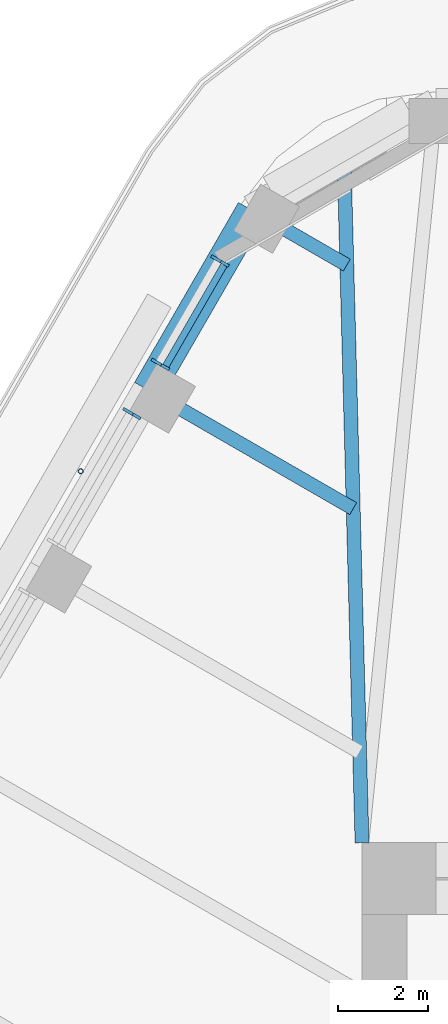
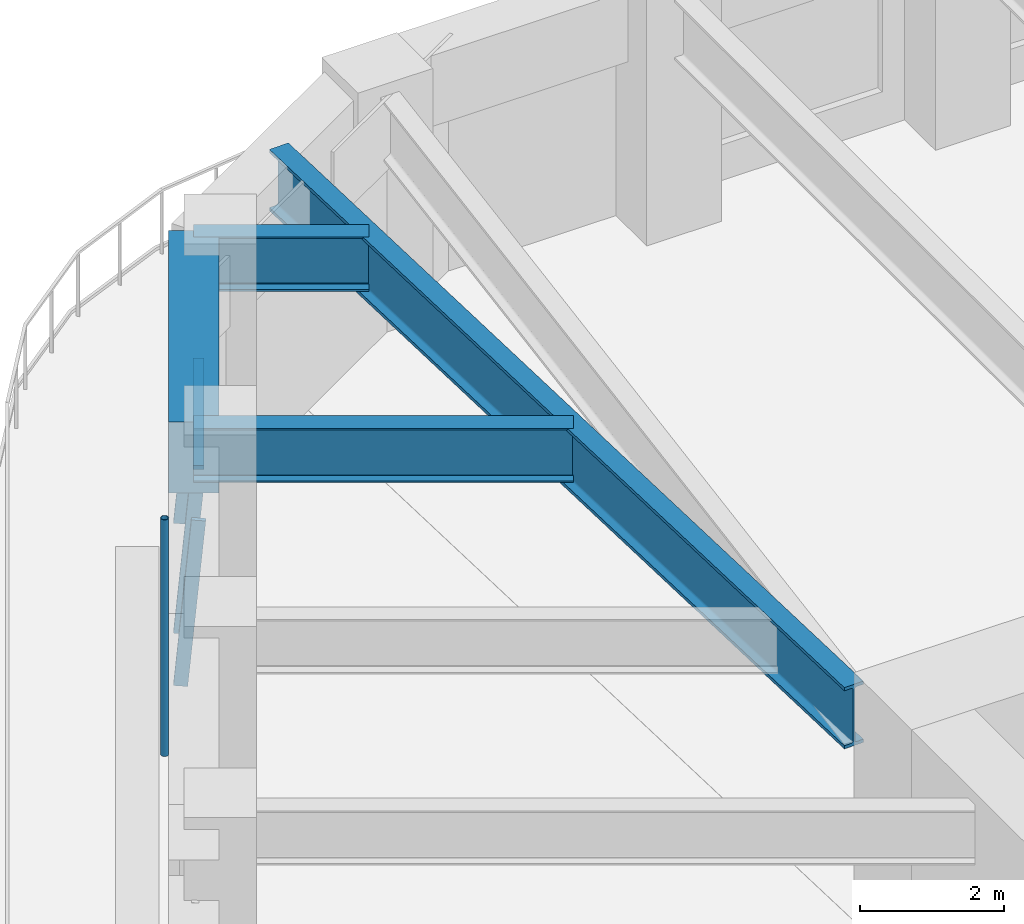
# One storey, part 8 of 20: 5 members, 4 beams, 2 elements without a shape of their own.
"""IFC4 building model written with IfcOpenShell, lengths in metres."""

import ifcopenshell
import ifcopenshell.guid

model = None  # the IFC model being written
_history = None  # IfcOwnerHistory: only IFC2X3 demands one
_inside = {}  # id of a spatial element -> (the spatial element, [elements in it])
_under = {}  # id of a project, library or spatial element -> (it, [spatial elements below it])
_declared = {}  # id of a project -> (the project, [libraries it declares])
_typed = {}  # id of a type object -> (the type object, [elements of that type])
_made_of = {}  # id of a material, layer set ... -> (it, [elements and type objects made of it])


def new_model(schema):
    """Start an empty IFC model of exactly this schema.

    Asked for "IFC4X3", IfcOpenShell would pick the latest addendum, in which some entities
    have other attributes; the version numbers below select the first issue.
    IFC2X3 requires an IfcOwnerHistory on every rooted entity: one is made here for all.
    """
    global model, _history
    if schema == "IFC4X3":
        model = ifcopenshell.file(schema_version=(4, 3, 0, 0))
    else:
        model = ifcopenshell.file(schema=schema)
    _inside.clear()
    _under.clear()
    _declared.clear()
    _typed.clear()
    _made_of.clear()
    _history = None
    if model.schema == "IFC2X3":
        org = make("IfcOrganization", Name="unknown")
        user = make(
            "IfcPersonAndOrganization",
            ThePerson=make("IfcPerson", FamilyName="unknown"),
            TheOrganization=org,
        )
        app = make(
            "IfcApplication",
            ApplicationDeveloper=org,
            Version="unknown",
            ApplicationFullName="unknown",
            ApplicationIdentifier="unknown",
        )
        _history = make(
            "IfcOwnerHistory",
            OwningUser=user,
            OwningApplication=app,
            ChangeAction="ADDED",
            CreationDate=0,
        )
    return model


def make(cls, **values):
    """One entity of the class cls with the attributes given. An attribute that is None is left unset."""
    return model.create_entity(
        cls, **{name: value for name, value in values.items() if value is not None}
    )


def rooted(cls, **values):
    """An entity with a GlobalId (a new one), such as an element, a storey or a relation."""
    return make(cls, GlobalId=ifcopenshell.guid.new(), OwnerHistory=_history, **values)


def si_unit(unit_type, name, prefix=None):
    """IfcSIUnit, for example si_unit("LENGTHUNIT", "METRE", prefix="MILLI")."""
    return make("IfcSIUnit", UnitType=unit_type, Prefix=prefix, Name=name)


def assignment(units):
    """IfcUnitAssignment: the units of a project."""
    return None if units is None else make("IfcUnitAssignment", Units=units)


def point(xyz):
    """IfcCartesianPoint."""
    return None if xyz is None else make("IfcCartesianPoint", Coordinates=xyz)


def direction(xyz):
    """IfcDirection."""
    return None if xyz is None else make("IfcDirection", DirectionRatios=xyz)


def frame(location, z_axis=None, x_axis=None):
    """IfcAxis2Placement3D, a coordinate frame: its origin and axes. An axis left out is left unset."""
    return make(
        "IfcAxis2Placement3D",
        Location=point(location),
        Axis=direction(z_axis),
        RefDirection=direction(x_axis),
    )


def frame_2d(location, x_axis=None):
    """IfcAxis2Placement2D, a coordinate frame in the plane: its origin and x axis."""
    return make(
        "IfcAxis2Placement2D", Location=point(location), RefDirection=direction(x_axis)
    )


def origin():
    """The frame at (0, 0, 0) with its axes left unset."""
    return frame((0.0, 0.0, 0.0))


def origin_2d():
    """The frame at (0, 0) in the plane with its x axis left unset."""
    return frame_2d((0.0, 0.0))


def place(relative_to, where):
    """IfcLocalPlacement: puts the frame where relative to a parent placement (None: the world)."""
    return make(
        "IfcLocalPlacement", PlacementRelTo=relative_to, RelativePlacement=where
    )


def context(
    kind, dimensions, precision=None, world=None, true_north=None, identifier=None
):
    """IfcGeometricRepresentationContext, for example the 3D "Model" context."""
    return make(
        "IfcGeometricRepresentationContext",
        ContextIdentifier=identifier,
        ContextType=kind,
        CoordinateSpaceDimension=dimensions,
        Precision=precision,
        WorldCoordinateSystem=world,
        TrueNorth=true_north,
    )


def subcontext(parent, identifier, kind, view, scale=None):
    """IfcGeometricRepresentationSubContext, for example "Body" below "Model"."""
    return make(
        "IfcGeometricRepresentationSubContext",
        ContextIdentifier=identifier,
        ContextType=kind,
        ParentContext=parent,
        TargetScale=scale,
        TargetView=view,
    )


def project(units=None, contexts=None):
    """IfcProject with its units and contexts."""
    return rooted(
        "IfcProject",
        Name="project",
        RepresentationContexts=contexts,
        UnitsInContext=assignment(units),
    )


def spatial(cls, under=None, at=None, **own):
    """A site, building, storey or space (cls), placed at a placement, below another one or the project."""
    s = rooted(cls, ObjectPlacement=at, **own)
    if under is not None:
        _under.setdefault(under.id(), (under, []))[1].append(s)
    return s


def profile(cls, at=None, kind="AREA", **sizes):
    """A parametric profile (cls). Its sizes go by their IFC names, for example OverallWidth=200.0."""
    return make(cls, ProfileType=kind, Position=at, **sizes)


def rectangle(**sizes):
    """IfcRectangleProfileDef."""
    return profile("IfcRectangleProfileDef", **sizes)


def hollow_circle(**sizes):
    """IfcCircleHollowProfileDef."""
    return profile("IfcCircleHollowProfileDef", **sizes)


def i_section(**sizes):
    """IfcIShapeProfileDef."""
    return profile("IfcIShapeProfileDef", **sizes)


def extrude(swept, where, along, depth):
    """IfcExtrudedAreaSolid: the profile swept, set in the frame where, extruded along a direction by depth."""
    return make(
        "IfcExtrudedAreaSolid",
        SweptArea=swept,
        Position=where,
        ExtrudedDirection=direction(along),
        Depth=depth,
    )


def shape(context_of_items, identifier, shape_type, items):
    """IfcShapeRepresentation: the items that make up one representation, for example the "Body"."""
    return make(
        "IfcShapeRepresentation",
        ContextOfItems=context_of_items,
        RepresentationIdentifier=identifier,
        RepresentationType=shape_type,
        Items=items,
    )


def material(Name=None, Category=None):
    """IfcMaterial."""
    return make("IfcMaterial", Name=Name, Category=Category)


def material_profile(
    of_material, cross_section, Name=None, Category=None, Priority=None
):
    """IfcMaterialProfile: a cross section and its material."""
    return make(
        "IfcMaterialProfile",
        Name=Name,
        Material=of_material,
        Profile=cross_section,
        Priority=Priority,
        Category=Category,
    )


def profile_set(profiles, Name=None, composite=None):
    """IfcMaterialProfileSet."""
    return make(
        "IfcMaterialProfileSet",
        Name=Name,
        MaterialProfiles=profiles,
        CompositeProfile=composite,
    )


def made_of(thing, what):
    """Note that an element or type object is made of a material, layer set ...; save() writes the relation."""
    if what is not None:
        _made_of.setdefault(what.id(), (what, []))[1].append(thing)
    return thing


def type_object(cls, material=None, **own):
    """A type object (cls), such as IfcWallType, which elements share."""
    return made_of(rooted(cls, **own), material)


def element(
    cls,
    number,
    at=None,
    inside=None,
    cuts=None,
    type_object=None,
    material=None,
    context=None,
    identifier="Body",
    shape_type=None,
    held_by="IfcProductDefinitionShape",
    body=None,
    shapes=None,
    **own,
):
    """One element of the class cls, such as IfcWall. Its Tag is "e" and its number.

    at: its placement. inside: the storey or other place that contains it. cuts: it is an
    opening in that element (IfcRelVoidsElement). A single representation is given by context,
    identifier, shape_type and body (its items); several are given by shapes. held_by: the class
    of the entity that holds the representations. save() writes the other relations.
    """
    e = rooted(cls, Tag="e%d" % number, ObjectPlacement=at, **own)
    if body is not None:
        shapes = [shape(context, identifier, shape_type, body)]
    if shapes is not None:
        e.Representation = make(held_by, Representations=shapes)
    if inside is not None:
        _inside.setdefault(inside.id(), (inside, []))[1].append(e)
    if cuts is not None:
        rooted(
            "IfcRelVoidsElement", RelatingBuildingElement=cuts, RelatedOpeningElement=e
        )
    if type_object is not None:
        _typed.setdefault(type_object.id(), (type_object, []))[1].append(e)
    return made_of(e, material)


def aggregate(whole, parts):
    """IfcRelAggregates: a whole, such as a stair, and the parts it consists of."""
    return rooted("IfcRelAggregates", RelatingObject=whole, RelatedObjects=parts)


def save(model, path):
    """Write the relations noted so far, then the file.

    IfcRelAggregates (storeys below a building ...), IfcRelContainedInSpatialStructure (elements
    in a storey), IfcRelDefinesByType, IfcRelAssociatesMaterial and IfcRelDeclares: one each for
    every whole, place, type object, material and project.
    """
    for whole, parts in _under.values():
        aggregate(whole, parts)
    for where, things in _inside.values():
        rooted(
            "IfcRelContainedInSpatialStructure",
            RelatedElements=things,
            RelatingStructure=where,
        )
    for kind, things in _typed.values():
        rooted("IfcRelDefinesByType", RelatedObjects=things, RelatingType=kind)
    for what, things in _made_of.values():
        rooted("IfcRelAssociatesMaterial", RelatedObjects=things, RelatingMaterial=what)
    for by, libraries in _declared.values():
        rooted("IfcRelDeclares", RelatingContext=by, RelatedDefinitions=libraries)
    model.write(path)


model = new_model("IFC4")

# Units and contexts
model_context = context("Model", 3, precision=1e-05, world=origin(), true_north=direction((0.0, 1.0)))
body_context = subcontext(model_context, "Body", "Model", "MODEL_VIEW")
ifc_project = project(units=[si_unit("LENGTHUNIT", "METRE"), si_unit("AREAUNIT", "SQUARE_METRE"), si_unit("VOLUMEUNIT", "CUBIC_METRE"), si_unit("PLANEANGLEUNIT", "RADIAN"), si_unit("MASSUNIT", "GRAM", prefix="KILO")], contexts=[model_context])

# Site, building, storey
site_placement = place(None, origin())
site = spatial("IfcSite", under=ifc_project, at=site_placement, CompositionType="ELEMENT")
building_placement = place(site_placement, origin())
building = spatial("IfcBuilding", under=site, at=building_placement, Name="Tarfa Lantern Tower", CompositionType="ELEMENT")
storey_placement = place(building_placement, frame((0.0, 0.0, 265.89990234375)))
storey = spatial("IfcBuildingStorey", under=building, at=storey_placement, Name="L60", CompositionType="ELEMENT", Elevation=265.89990234375)

# Curtain wall, members
ifc_material_1 = material(Name="Aluminium framed curtain wall", Category="aluminium")
curtain_wall_type = type_object("IfcCurtainWallType", Name="CW3 CANTED GLAZING HIGH ZONE 2800", PredefinedType="USERDEFINED", material=ifc_material_1)
curtain_wall_1_placement = place(storey_placement, origin())
curtain_wall_1 = element("IfcCurtainWall", 1, at=curtain_wall_1_placement, inside=storey, type_object=curtain_wall_type, Name="CW3 NW L60", ObjectType="CURTAIN WALL", PredefinedType="USERDEFINED")
ifc_material_2 = material(Name="Aluminium mullion", Category="aluminium")
ifc_material_profile_1 = material_profile(ifc_material_2, rectangle(XDim=0.06494140625, YDim=0.199951171875, at=origin_2d()), Name="AL MULLION 65x200")
ifc_profile_set_1 = profile_set([ifc_material_profile_1], Name="Aluminium mullion")
member_type_1 = type_object("IfcMemberType", Name="CWM1 MULLION 65x200", PredefinedType="MULLION", material=ifc_profile_set_1)
member_1_placement = place(storey_placement, frame((-18.76611328125, 25.296142578125, 0.0), z_axis=(0.077032386753, -0.044465143199, 0.996036576854), x_axis=(0.499919672301, 0.866071776036, 0.0)))
member_1 = element("IfcMember", 2, at=member_1_placement, type_object=member_type_1, Name="CW3 mullion 1", PredefinedType="MULLION", context=body_context, shape_type="SweptSolid", body=[
    extrude(rectangle(XDim=0.06494140625, YDim=0.199951171875, at=origin_2d()), origin(), (0.0, 0.0, 1.0), 2.811279296875),
])
member_2_placement = place(storey_placement, frame((-20.093017578125, 22.997802734375, 0.0), z_axis=(0.077032386753, -0.044465143199, 0.996036576854), x_axis=(0.499919672301, 0.866071776036, 0.0)))
member_2 = element("IfcMember", 3, at=member_2_placement, type_object=member_type_1, Name="CW3 mullion 2", PredefinedType="MULLION", context=body_context, shape_type="SweptSolid", body=[
    extrude(rectangle(XDim=0.06494140625, YDim=0.199951171875, at=origin_2d()), origin(), (0.0, 0.0, 1.0), 2.811279296875),
])

# Curtain wall, member
curtain_wall_2_placement = place(storey_placement, origin())
curtain_wall_2 = element("IfcCurtainWall", 4, at=curtain_wall_2_placement, inside=storey, type_object=curtain_wall_type, Name="CW3 NW L60", ObjectType="CURTAIN WALL", PredefinedType="USERDEFINED")
member_3_placement = place(storey_placement, frame((-20.7255859375, 21.90234375, 0.0), z_axis=(0.077032386753, -0.044465143199, 0.996036576854), x_axis=(0.499919672301, 0.866071776036, 0.0)))
member_3 = element("IfcMember", 5, at=member_3_placement, type_object=member_type_1, Name="CW3 mullion 1", PredefinedType="MULLION", context=body_context, shape_type="SweptSolid", body=[
    extrude(rectangle(XDim=0.06494140625, YDim=0.199951171875, at=origin_2d()), origin(), (0.0, 0.0, 1.0), 2.811279296875),
])
aggregate(curtain_wall_2, [member_3])

# Member
ifc_material_3 = material(Name="Aluminium transom", Category="aluminium")
ifc_material_profile_2 = material_profile(ifc_material_3, rectangle(XDim=0.14990234375, YDim=0.06494140625, at=origin_2d()), Name="AL TRANSOM 150x65")
ifc_profile_set_2 = profile_set([ifc_material_profile_2], Name="Aluminium transom")
member_type_2 = type_object("IfcMemberType", Name="CWT1 TRANSOM 150x65", PredefinedType="USERDEFINED", material=ifc_profile_set_2)
member_4_placement = place(storey_placement, frame((-18.568359375, 25.144287109375, 2.767578125), z_axis=(-0.5000136139, -0.866017543653, 0.0), x_axis=(0.866017543653, -0.5000136139, 0.0)))
member_4 = element("IfcMember", 6, at=member_4_placement, type_object=member_type_2, Name="CW3 transom 1.2", ObjectType="TRANSOM", PredefinedType="USERDEFINED", context=body_context, shape_type="SweptSolid", body=[
    extrude(rectangle(XDim=0.14990234375, YDim=0.06494140625, at=origin_2d()), origin(), (0.0, 0.0, 1.0), 2.5888671875),
])

aggregate(curtain_wall_1, [member_1, member_2, member_4])

# Beam
ifc_material_4 = material(Name="Concrete C80/95", Category="concrete")
ifc_material_profile_3 = material_profile(ifc_material_4, rectangle(XDim=0.699951171875, YDim=1.199951171875, at=origin_2d()), Name="RC 700x1200")
ifc_profile_set_3 = profile_set([ifc_material_profile_3], Name="Concrete C80/95")
beam_type_1 = type_object("IfcBeamType", Name="EB3 RC 700x1200", PredefinedType="SPANDREL", material=ifc_profile_set_3)
beam_1_placement = place(storey_placement, frame((-17.944091796875, 26.360107421875, 3.400146484375), z_axis=(-0.499987836815, -0.866032426089, 0.0), x_axis=(0.866032426089, -0.499987836815, 0.0)))
element("IfcBeam", 7, at=beam_1_placement, inside=storey, type_object=beam_type_1, Name="Edge beam NW0", PredefinedType="SPANDREL", context=body_context, shape_type="SweptSolid", body=[
    extrude(rectangle(XDim=0.699951171875, YDim=1.199951171875, at=origin_2d()), origin(), (0.0, 0.0, 1.0), 4.61865234375),
])

# Member
ifc_material_5 = material(Name="Steel S355", Category="steel")
ifc_material_profile_4 = material_profile(ifc_material_5, hollow_circle(Radius=0.05712890625, WallThickness=0.00634765625, at=origin_2d()), Name="CHS114.3x6.3")
ifc_profile_set_4 = profile_set([ifc_material_profile_4], Name="Steel S355")
member_type_3 = type_object("IfcMemberType", Name="TR1 GREEN WALL TRELLIS CHS114.3x6.3", PredefinedType="USERDEFINED", material=ifc_profile_set_4)
member_5_placement = place(storey_placement, frame((-21.754638671875, 20.56005859375, 0.0), z_axis=(0.0, 0.0, 1.0), x_axis=(1.0, 0.0, 0.0)))
element("IfcMember", 8, at=member_5_placement, inside=storey, type_object=member_type_3, Name="Trellis post NW 1", ObjectType="TRELLIS", PredefinedType="USERDEFINED", context=body_context, shape_type="SweptSolid", body=[
    extrude(hollow_circle(Radius=0.05712890625, WallThickness=0.00634765625, at=origin_2d()), origin(), (0.0, 0.0, 1.0), 4.0),
])

# Beams
ifc_material_6 = material(Name="Steel S460M", Category="steel")
ifc_material_profile_5 = material_profile(ifc_material_6, i_section(OverallWidth=0.30859375, OverallDepth=1.036376953125, WebThickness=0.030029296875, FlangeThickness=0.05419921875, FilletRadius=0.030029296875, at=origin_2d()), Name="UB1016x305x487")
ifc_profile_set_5 = profile_set([ifc_material_profile_5], Name="Steel S460M")
beam_type_2 = type_object("IfcBeamType", Name="UB1016x305x487", PredefinedType="BEAM", material=ifc_profile_set_5)
beam_2_placement = place(storey_placement, frame((-15.5, 12.300048828125, 3.48193359375), z_axis=(-0.026247301989, 0.999655480222, 0.0), x_axis=(-0.999655480222, -0.026247301989, 0.0)))
element("IfcBeam", 9, at=beam_2_placement, inside=storey, type_object=beam_type_2, Name="Hip girder NW", PredefinedType="BEAM", context=body_context, shape_type="SweptSolid", body=[
    extrude(i_section(OverallWidth=0.30859375, OverallDepth=1.036376953125, WebThickness=0.030029296875, FlangeThickness=0.05419921875, FilletRadius=0.030029296875, at=origin_2d()), origin(), (0.0, 0.0, 1.0), 15.245361328125),
])
ifc_material_profile_6 = material_profile(ifc_material_6, i_section(OverallWidth=0.305419921875, OverallDepth=0.91845703125, WebThickness=0.017333984375, FlangeThickness=0.02783203125, FilletRadius=0.01904296875, at=origin_2d()), Name="UB914x305x253")
ifc_profile_set_6 = profile_set([ifc_material_profile_6], Name="Steel S460M")
beam_type_3 = type_object("IfcBeamType", Name="UB914x305x253", PredefinedType="BEAM", material=ifc_profile_set_6)
beam_3_placement = place(storey_placement, frame((-17.944091796875, 26.360107421875, 3.541015625), z_axis=(0.865980009423, -0.5000786171, 0.0), x_axis=(0.5000786171, 0.865980009423, 0.0)))
element("IfcBeam", 10, at=beam_3_placement, inside=storey, type_object=beam_type_3, Name="Floor beam NW0", PredefinedType="BEAM", context=body_context, shape_type="SweptSolid", body=[
    extrude(i_section(OverallWidth=0.305419921875, OverallDepth=0.91845703125, WebThickness=0.017333984375, FlangeThickness=0.02783203125, FilletRadius=0.01904296875, at=origin_2d()), origin(), (0.0, 0.0, 1.0), 2.4326171875),
])
beam_4_placement = place(storey_placement, frame((-20.25341796875, 22.360107421875, 3.541015625), z_axis=(0.86601951648, -0.500010196972, 0.0), x_axis=(0.500010196972, 0.86601951648, 0.0)))
element("IfcBeam", 11, at=beam_4_placement, inside=storey, type_object=beam_type_3, Name="Floor beam NW1", PredefinedType="BEAM", context=body_context, shape_type="SweptSolid", body=[
    extrude(i_section(OverallWidth=0.305419921875, OverallDepth=0.91845703125, WebThickness=0.017333984375, FlangeThickness=0.02783203125, FilletRadius=0.01904296875, at=origin_2d()), origin(), (0.0, 0.0, 1.0), 5.263671875),
])

save(model, "model.ifc")
